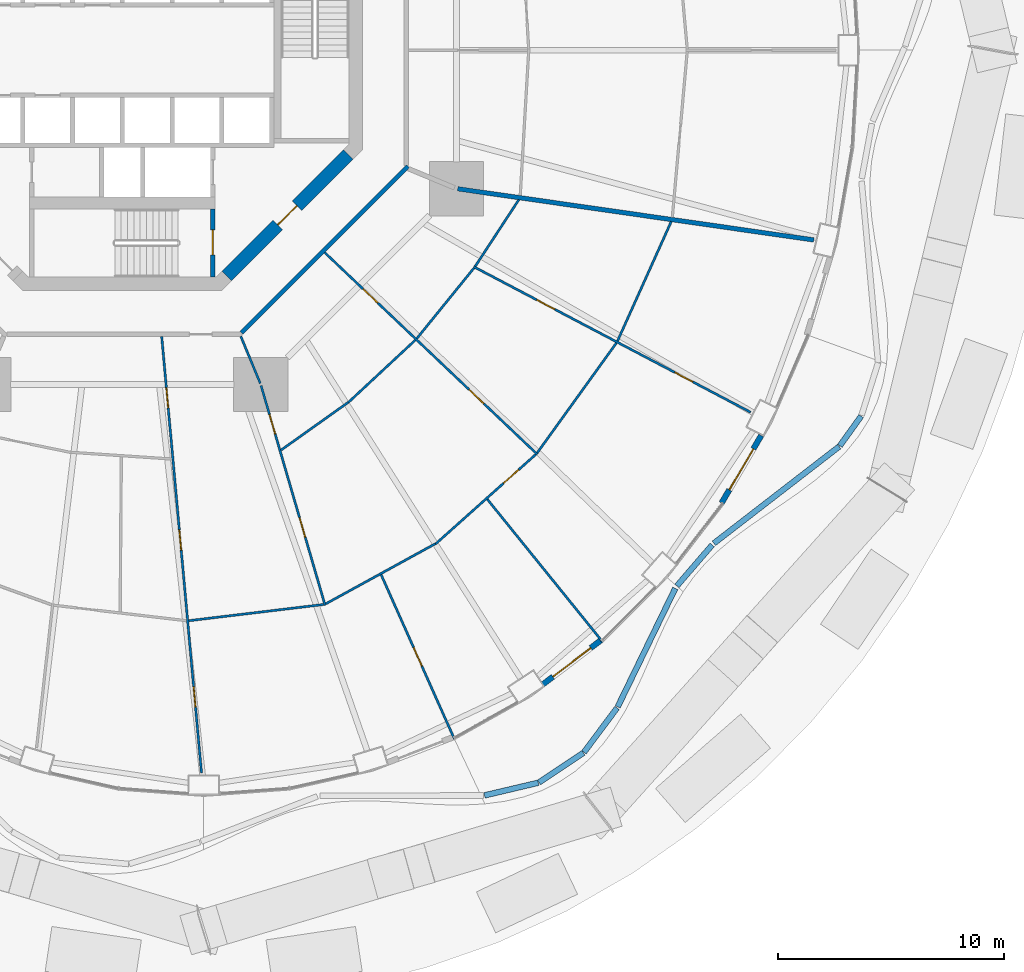
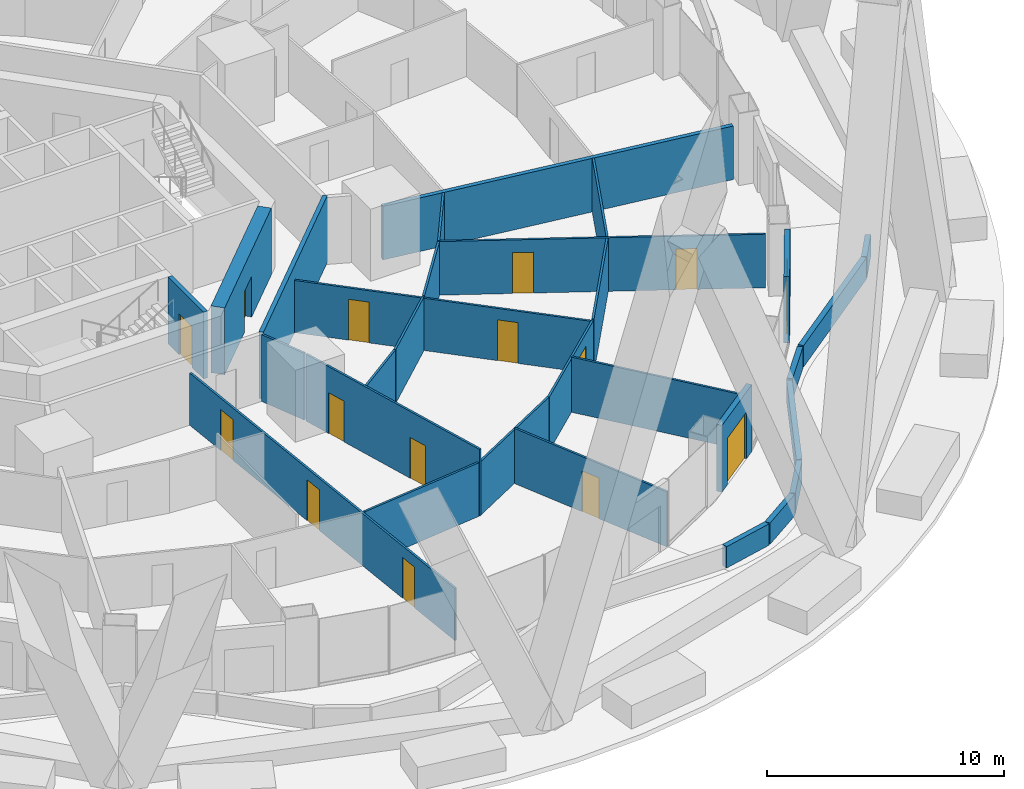
# One storey, part 35 of 42: 29 walls, 15 doors, 15 openings.
"""IFC4 building model written with IfcOpenShell, lengths in metres."""

from ifc_helpers import new_model, si_unit, direction, frame, frame_2d, origin, place, context, subcontext, project, spatial, rectangle, extrude, material, layer, layer_set, type_object, element, fill, save


model = new_model("IFC4")

# Units and contexts
model_context = context("Model", 3, precision=1e-05, world=origin(), true_north=direction((0.0, 1.0)))
body_context = subcontext(model_context, "Body", "Model", "MODEL_VIEW")
ifc_project = project(units=[si_unit("LENGTHUNIT", "METRE"), si_unit("AREAUNIT", "SQUARE_METRE"), si_unit("VOLUMEUNIT", "CUBIC_METRE"), si_unit("PLANEANGLEUNIT", "RADIAN"), si_unit("MASSUNIT", "GRAM", prefix="KILO")], contexts=[model_context])

# Site, building, storey
site_placement = place(None, origin())
site = spatial("IfcSite", under=ifc_project, at=site_placement, CompositionType="ELEMENT")
building_placement = place(site_placement, origin())
building = spatial("IfcBuilding", under=site, at=building_placement, Name="Nagisa Residences", CompositionType="ELEMENT")
storey_placement = place(building_placement, frame((0.0, 0.0, 27.0)))
storey = spatial("IfcBuildingStorey", under=building, at=storey_placement, Name="L05", CompositionType="ELEMENT", Elevation=27.0)

# Walls
ifc_material_1 = material(Name="Gypsum board on steel studs", Category="steel")
ifc_layer_1 = layer(ifc_material_1, 0.199951171875)
ifc_layer_set_1 = layer_set([ifc_layer_1], Name="Apartment compartment wall EI60 200")
wall_type_1 = type_object("IfcWallType", Name="Apartment compartment wall EI60 200", PredefinedType="PARTITIONING", material=ifc_layer_set_1)
wall_1_placement = place(storey_placement, frame((14.83154296875, -6.130126953125, 0.0), z_axis=(0.0, 0.0, 1.0), x_axis=(0.989836541293, -0.142209779978, 0.0)))
element("IfcWall", 1, at=wall_1_placement, inside=storey, type_object=wall_type_1, Name="wall:L05:u07", PredefinedType="PARTITIONING", context=body_context, shape_type="SweptSolid", body=[
    extrude(rectangle(XDim=15.9091796875, YDim=0.199951171875, at=frame_2d((7.95458984375, 0.0))), origin(), (0.0, 0.0, 1.0), 2.756103515625),
])
ifc_material_2 = material(Name="Gypsum board on steel studs", Category="steel")
ifc_layer_2 = layer(ifc_material_2, 0.199951171875)
ifc_layer_set_2 = layer_set([ifc_layer_2], Name="Apartment entry wall EI60 200")
wall_type_2 = type_object("IfcWallType", Name="Apartment entry wall EI60 200", PredefinedType="PARTITIONING", material=ifc_layer_set_2)
wall_2_placement = place(storey_placement, frame((5.275146484375, -12.494140625, 0.0), z_axis=(0.0, 0.0, 1.0), x_axis=(0.707106781187, 0.707106781187, 0.0)))
element("IfcWall", 2, at=wall_2_placement, inside=storey, type_object=wall_type_2, Name="wall:L05:u15", PredefinedType="PARTITIONING", context=body_context, shape_type="SweptSolid", body=[
    extrude(rectangle(XDim=10.4091796875, YDim=0.199951171875, at=frame_2d((5.20458984375, 0.0))), origin(), (0.0, 0.0, 1.0), 3.43994140625),
])

# Wall, openings, doors
ifc_material_3 = material(Name="Gypsum board on steel studs", Category="steel")
ifc_layer_3 = layer(ifc_material_3, 0.10009765625)
ifc_layer_set_3 = layer_set([ifc_layer_3], Name="Apartment partition 100")
wall_type_3 = type_object("IfcWallType", Name="Apartment partition 100", PredefinedType="PARTITIONING", material=ifc_layer_set_3)
wall_3_placement = place(storey_placement, frame((1.743896484375, -12.664306640625, 0.0), z_axis=(0.0, 0.0, 1.0), x_axis=(0.090893639596, -0.995860605849, 0.0)))
wall_3 = element("IfcWall", 3, at=wall_3_placement, inside=storey, type_object=wall_type_3, Name="wall:L05:u76", PredefinedType="PARTITIONING", context=body_context, shape_type="SweptSolid", body=[
    extrude(rectangle(XDim=19.3740234375, YDim=0.10009765625, at=frame_2d((9.68701171875, 0.0))), origin(), (0.0, 0.0, 1.0), 2.68701171875),
])
opening_1_placement = place(wall_3_placement, frame((2.270263671875, 0.0, 0.0)))
opening_1 = element("IfcOpeningElement", 4, at=opening_1_placement, cuts=wall_3, Name="Opening L05-U41", PredefinedType="OPENING", context=body_context, shape_type="SweptSolid", body=[
    extrude(rectangle(XDim=0.89990234375, YDim=2.10009765625, at=frame_2d((0.449951171875, 1.050048828125))), frame((0.0, 0.06005859375, 0.0), z_axis=(0.0, -1.0, 0.0), x_axis=(1.0, 0.0, 0.0)), (0.0, 0.0, 1.0), 0.1201171875),
])
opening_2_placement = place(wall_3_placement, frame((8.58154296875, 0.0, 0.0)))
opening_2 = element("IfcOpeningElement", 5, at=opening_2_placement, cuts=wall_3, Name="Opening L05-U45", PredefinedType="OPENING", context=body_context, shape_type="SweptSolid", body=[
    extrude(rectangle(XDim=0.89990234375, YDim=2.10009765625, at=frame_2d((0.449951171875, 1.050048828125))), frame((0.0, 0.06005859375, 0.0), z_axis=(0.0, -1.0, 0.0), x_axis=(1.0, 0.0, 0.0)), (0.0, 0.0, 1.0), 0.1201171875),
])
opening_3_placement = place(wall_3_placement, frame((15.54833984375, 0.0, 0.0)))
opening_3 = element("IfcOpeningElement", 6, at=opening_3_placement, cuts=wall_3, Name="Opening L05-U51", PredefinedType="OPENING", context=body_context, shape_type="SweptSolid", body=[
    extrude(rectangle(XDim=0.89990234375, YDim=2.10009765625, at=frame_2d((0.449951171875, 1.050048828125))), frame((0.0, 0.06005859375, 0.0), z_axis=(0.0, -1.0, 0.0), x_axis=(1.0, 0.0, 0.0)), (0.0, 0.0, 1.0), 0.1201171875),
])
ifc_material_4 = material(Name="Timber door set", Category="wood")
door_type_1 = type_object("IfcDoorType", Name="Apartment door 900x2100", OperationType="NOTDEFINED", PredefinedType="DOOR", material=ifc_material_4)
door_1_placement = place(opening_1_placement, frame((0.89990234375, 0.0, 0.0), x_axis=(-1.0, 0.0, 0.0)))
door_1 = element("IfcDoor", 7, at=door_1_placement, inside=storey, type_object=door_type_1, Name="Door to store, Apartment 05D", OperationType="SINGLE_SWING_RIGHT", OverallHeight=2.10009765625, OverallWidth=0.89990234375, PredefinedType="DOOR", context=body_context, shape_type="SweptSolid", body=[
    extrude(rectangle(XDim=0.89990234375, YDim=2.10009765625, at=frame_2d((0.449951171875, 1.050048828125))), frame((0.0, 0.02490234375, 0.0), z_axis=(0.0, -1.0, 0.0), x_axis=(1.0, 0.0, 0.0)), (0.0, 0.0, 1.0), 0.050048828125),
])
fill(opening_1, door_1)
door_2_placement = place(opening_2_placement, frame((0.89990234375, 0.0, 0.0), x_axis=(-1.0, 0.0, 0.0)))
door_2 = element("IfcDoor", 8, at=door_2_placement, inside=storey, type_object=door_type_1, Name="Door to family bathroom, Apartment 05D", OperationType="SINGLE_SWING_RIGHT", OverallHeight=2.10009765625, OverallWidth=0.89990234375, PredefinedType="DOOR", context=body_context, shape_type="SweptSolid", body=[
    extrude(rectangle(XDim=0.89990234375, YDim=2.10009765625, at=frame_2d((0.449951171875, 1.050048828125))), frame((0.0, 0.02490234375, 0.0), z_axis=(0.0, -1.0, 0.0), x_axis=(1.0, 0.0, 0.0)), (0.0, 0.0, 1.0), 0.050048828125),
])
fill(opening_2, door_2)
door_3_placement = place(opening_3_placement, origin())
door_3 = element("IfcDoor", 9, at=door_3_placement, inside=storey, type_object=door_type_1, Name="Door to dining room, Apartment 05D", OperationType="SINGLE_SWING_LEFT", OverallHeight=2.10009765625, OverallWidth=0.89990234375, PredefinedType="DOOR", context=body_context, shape_type="SweptSolid", body=[
    extrude(rectangle(XDim=0.89990234375, YDim=2.10009765625, at=frame_2d((0.449951171875, 1.050048828125))), frame((0.0, 0.02490234375, 0.0), z_axis=(0.0, -1.0, 0.0), x_axis=(1.0, 0.0, 0.0)), (0.0, 0.0, 1.0), 0.050048828125),
])
fill(opening_3, door_3)

# Walls
wall_4_placement = place(storey_placement, frame((2.94091796875, -25.228515625, 0.0), z_axis=(0.0, 0.0, 1.0), x_axis=(0.992836798252, 0.119478416615, 0.0)))
element("IfcWall", 10, at=wall_4_placement, inside=storey, type_object=wall_type_3, Name="wall:L05:u77", PredefinedType="PARTITIONING", context=body_context, shape_type="SweptSolid", body=[
    extrude(rectangle(XDim=6.009521484375, YDim=0.10009765625, at=frame_2d((3.0048828125, 0.0))), origin(), (0.0, 0.0, 1.0), 2.756103515625),
])
wall_5_placement = place(storey_placement, frame((5.24267578125, -12.6572265625, 0.0), z_axis=(0.0, 0.0, 1.0), x_axis=(0.382719158442, -0.923864733477, 0.0)))
element("IfcWall", 11, at=wall_5_placement, inside=storey, type_object=wall_type_3, Name="wall:L05:u78", PredefinedType="PARTITIONING", context=body_context, shape_type="SweptSolid", body=[
    extrude(rectangle(XDim=2.25, YDim=0.10009765625, at=frame_2d((1.125, 0.0))), origin(), (0.0, 0.0, 1.0), 3.43994140625),
])

# Wall, openings, doors
wall_6_placement = place(storey_placement, frame((6.136962890625, -14.830078125, 0.0), z_axis=(0.0, 0.0, 1.0), x_axis=(0.279843546189, -0.960045618529, 0.0)))
wall_6 = element("IfcWall", 12, at=wall_6_placement, inside=storey, type_object=wall_type_3, Name="wall:L05:u79", PredefinedType="PARTITIONING", context=body_context, shape_type="SweptSolid", body=[
    extrude(rectangle(XDim=10.126953125, YDim=0.10009765625, at=frame_2d((5.0634765625, 0.0))), origin(), (0.0, 0.0, 1.0), 3.43994140625),
])
opening_4_placement = place(wall_6_placement, frame((1.333740234375, 0.0, 0.0)))
opening_4 = element("IfcOpeningElement", 13, at=opening_4_placement, cuts=wall_6, Name="Opening L05-U42", PredefinedType="OPENING", context=body_context, shape_type="SweptSolid", body=[
    extrude(rectangle(XDim=0.89990234375, YDim=2.10009765625, at=frame_2d((0.449951171875, 1.050048828125))), frame((0.0, 0.06005859375, 0.0), z_axis=(0.0, -1.0, 0.0), x_axis=(1.0, 0.0, 0.0)), (0.0, 0.0, 1.0), 0.1201171875),
])
opening_5_placement = place(wall_6_placement, frame((6.09130859375, 0.0, 0.0)))
opening_5 = element("IfcOpeningElement", 14, at=opening_5_placement, cuts=wall_6, Name="Opening L05-U46", PredefinedType="OPENING", context=body_context, shape_type="SweptSolid", body=[
    extrude(rectangle(XDim=0.89990234375, YDim=2.10009765625, at=frame_2d((0.449951171875, 1.050048828125))), frame((0.0, 0.06005859375, 0.0), z_axis=(0.0, -1.0, 0.0), x_axis=(1.0, 0.0, 0.0)), (0.0, 0.0, 1.0), 0.1201171875),
])
door_4_placement = place(opening_4_placement, origin())
door_4 = element("IfcDoor", 15, at=door_4_placement, inside=storey, type_object=door_type_1, Name="Door to store, Apartment 05D", OperationType="SINGLE_SWING_RIGHT", OverallHeight=2.10009765625, OverallWidth=0.89990234375, PredefinedType="DOOR", context=body_context, shape_type="SweptSolid", body=[
    extrude(rectangle(XDim=0.89990234375, YDim=2.10009765625, at=frame_2d((0.449951171875, 1.050048828125))), frame((0.0, 0.02490234375, 0.0), z_axis=(0.0, -1.0, 0.0), x_axis=(1.0, 0.0, 0.0)), (0.0, 0.0, 1.0), 0.050048828125),
])
fill(opening_4, door_4)
door_5_placement = place(opening_5_placement, origin())
door_5 = element("IfcDoor", 16, at=door_5_placement, inside=storey, type_object=door_type_1, Name="Door to dining room, Apartment 05D", OperationType="SINGLE_SWING_RIGHT", OverallHeight=2.10009765625, OverallWidth=0.89990234375, PredefinedType="DOOR", context=body_context, shape_type="SweptSolid", body=[
    extrude(rectangle(XDim=0.89990234375, YDim=2.10009765625, at=frame_2d((0.449951171875, 1.050048828125))), frame((0.0, 0.02490234375, 0.0), z_axis=(0.0, -1.0, 0.0), x_axis=(1.0, 0.0, 0.0)), (0.0, 0.0, 1.0), 0.050048828125),
])
fill(opening_5, door_5)

# Walls
wall_7_placement = place(storey_placement, frame((7.018798828125, -17.686279296875, 0.0), z_axis=(0.0, 0.0, 1.0), x_axis=(0.81494477814, 0.57953861699, 0.0)))
element("IfcWall", 17, at=wall_7_placement, inside=storey, type_object=wall_type_3, Name="wall:L05:u80", PredefinedType="PARTITIONING", context=body_context, shape_type="SweptSolid", body=[
    extrude(rectangle(XDim=3.644287109375, YDim=0.10009765625, at=frame_2d((1.822265625, 0.0))), origin(), (0.0, 0.0, 1.0), 2.756103515625),
])
wall_8_placement = place(storey_placement, frame((9.0009765625, -24.48046875, 0.0), z_axis=(0.0, 0.0, 1.0), x_axis=(0.876794415294, 0.480865421203, 0.0)))
element("IfcWall", 18, at=wall_8_placement, inside=storey, type_object=wall_type_3, Name="wall:L05:u81", PredefinedType="PARTITIONING", context=body_context, shape_type="SweptSolid", body=[
    extrude(rectangle(XDim=5.5361328125, YDim=0.10009765625, at=frame_2d((2.76806640625, 0.0))), origin(), (0.0, 0.0, 1.0), 2.756103515625),
])

# Wall, opening, door
wall_9_placement = place(storey_placement, frame((11.4482421875, -23.195068359375, 0.0), z_axis=(0.0, 0.0, 1.0), x_axis=(0.407016520798, -0.913420796675, 0.0)))
wall_9 = element("IfcWall", 19, at=wall_9_placement, inside=storey, type_object=wall_type_3, Name="wall:L05:u82", PredefinedType="PARTITIONING", context=body_context, shape_type="SweptSolid", body=[
    extrude(rectangle(XDim=7.944091796875, YDim=0.10009765625, at=frame_2d((3.97216796875, 0.0))), origin(), (0.0, 0.0, 1.0), 2.8369140625),
])
opening_6_placement = place(wall_9_placement, frame((3.522216796875, 0.0, 0.0)))
opening_6 = element("IfcOpeningElement", 20, at=opening_6_placement, cuts=wall_9, Name="Opening L05-U52", PredefinedType="OPENING", context=body_context, shape_type="SweptSolid", body=[
    extrude(rectangle(XDim=0.89990234375, YDim=2.10009765625, at=frame_2d((0.449951171875, 1.050048828125))), frame((0.0, 0.06005859375, 0.0), z_axis=(0.0, -1.0, 0.0), x_axis=(1.0, 0.0, 0.0)), (0.0, 0.0, 1.0), 0.1201171875),
])
door_6_placement = place(opening_6_placement, origin())
door_6 = element("IfcDoor", 21, at=door_6_placement, inside=storey, type_object=door_type_1, Name="Door to family room, Apartment 05D", OperationType="SINGLE_SWING_RIGHT", OverallHeight=2.10009765625, OverallWidth=0.89990234375, PredefinedType="DOOR", context=body_context, shape_type="SweptSolid", body=[
    extrude(rectangle(XDim=0.89990234375, YDim=2.10009765625, at=frame_2d((0.449951171875, 1.050048828125))), frame((0.0, 0.02490234375, 0.0), z_axis=(0.0, -1.0, 0.0), x_axis=(1.0, 0.0, 0.0)), (0.0, 0.0, 1.0), 0.050048828125),
])
fill(opening_6, door_6)

# Wall
wall_10_placement = place(storey_placement, frame((9.992919921875, -15.579345703125, 0.0), z_axis=(0.0, 0.0, 1.0), x_axis=(0.732028724098, 0.681273768096, 0.0)))
element("IfcWall", 22, at=wall_10_placement, inside=storey, type_object=wall_type_3, Name="wall:L05:u83", PredefinedType="PARTITIONING", context=body_context, shape_type="SweptSolid", body=[
    extrude(rectangle(XDim=4.05029296875, YDim=0.10009765625, at=frame_2d((2.025146484375, 0.0))), origin(), (0.0, 0.0, 1.0), 2.756103515625),
])

# Wall, opening, door
wall_11_placement = place(storey_placement, frame((13.861572265625, -21.82763671875, 0.0), z_axis=(0.0, 0.0, 1.0), x_axis=(0.745812746724, 0.666155647596, 0.0)))
wall_11 = element("IfcWall", 23, at=wall_11_placement, inside=storey, type_object=wall_type_3, Name="wall:L05:u84", PredefinedType="PARTITIONING", context=body_context, shape_type="SweptSolid", body=[
    extrude(rectangle(XDim=5.9306640625, YDim=0.10009765625, at=frame_2d((2.96533203125, 0.0))), origin(), (0.0, 0.0, 1.0), 2.756103515625),
])
opening_7_placement = place(wall_11_placement, frame((4.02294921875, 0.0, 0.0)))
opening_7 = element("IfcOpeningElement", 24, at=opening_7_placement, cuts=wall_11, Name="Opening L05-U53", PredefinedType="OPENING", context=body_context, shape_type="SweptSolid", body=[
    extrude(rectangle(XDim=0.89990234375, YDim=2.10009765625, at=frame_2d((0.449951171875, 1.050048828125))), frame((0.0, 0.06005859375, 0.0), z_axis=(0.0, -1.0, 0.0), x_axis=(1.0, 0.0, 0.0)), (0.0, 0.0, 1.0), 0.1201171875),
])
door_7_placement = place(opening_7_placement, frame((0.89990234375, 0.0, 0.0), x_axis=(-1.0, 0.0, 0.0)))
door_7 = element("IfcDoor", 25, at=door_7_placement, inside=storey, type_object=door_type_1, Name="Door to living room, Apartment 05D", OperationType="SINGLE_SWING_RIGHT", OverallHeight=2.10009765625, OverallWidth=0.89990234375, PredefinedType="DOOR", context=body_context, shape_type="SweptSolid", body=[
    extrude(rectangle(XDim=0.89990234375, YDim=2.10009765625, at=frame_2d((0.449951171875, 1.050048828125))), frame((0.0, 0.02490234375, 0.0), z_axis=(0.0, -1.0, 0.0), x_axis=(1.0, 0.0, 0.0)), (0.0, 0.0, 1.0), 0.050048828125),
])
fill(opening_7, door_7)

# Wall
wall_12_placement = place(storey_placement, frame((16.141845703125, -19.85791015625, 0.0), z_axis=(0.0, 0.0, 1.0), x_axis=(0.628738066508, -0.777617157555, 0.0)))
element("IfcWall", 26, at=wall_12_placement, inside=storey, type_object=wall_type_3, Name="wall:L05:u85", PredefinedType="PARTITIONING", context=body_context, shape_type="SweptSolid", body=[
    extrude(rectangle(XDim=8.091064453125, YDim=0.10009765625, at=frame_2d((4.04541015625, 0.0))), origin(), (0.0, 0.0, 1.0), 2.8369140625),
])

# Wall, openings, doors
wall_13_placement = place(storey_placement, frame((8.95703125, -8.953369140625, 0.0), z_axis=(0.0, 0.0, 1.0), x_axis=(0.725250022034, -0.688485588476, 0.0)))
wall_13 = element("IfcWall", 27, at=wall_13_placement, inside=storey, type_object=wall_type_3, Name="wall:L05:u86", PredefinedType="PARTITIONING", context=body_context, shape_type="SweptSolid", body=[
    extrude(rectangle(XDim=12.962646484375, YDim=0.10009765625, at=frame_2d((6.4814453125, 0.0))), origin(), (0.0, 0.0, 1.0), 2.68701171875),
])
opening_8_placement = place(wall_13_placement, frame((2.33349609375, 0.0, 0.0)))
opening_8 = element("IfcOpeningElement", 28, at=opening_8_placement, cuts=wall_13, Name="Opening L05-U43", PredefinedType="OPENING", context=body_context, shape_type="SweptSolid", body=[
    extrude(rectangle(XDim=0.89990234375, YDim=2.10009765625, at=frame_2d((0.449951171875, 1.050048828125))), frame((0.0, 0.06005859375, 0.0), z_axis=(0.0, -1.0, 0.0), x_axis=(1.0, 0.0, 0.0)), (0.0, 0.0, 1.0), 0.1201171875),
])
opening_9_placement = place(wall_13_placement, frame((8.78955078125, 0.0, 0.0)))
opening_9 = element("IfcOpeningElement", 29, at=opening_9_placement, cuts=wall_13, Name="Opening L05-U47", PredefinedType="OPENING", context=body_context, shape_type="SweptSolid", body=[
    extrude(rectangle(XDim=0.89990234375, YDim=2.10009765625, at=frame_2d((0.449951171875, 1.050048828125))), frame((0.0, 0.06005859375, 0.0), z_axis=(0.0, -1.0, 0.0), x_axis=(1.0, 0.0, 0.0)), (0.0, 0.0, 1.0), 0.1201171875),
])
door_8_placement = place(opening_8_placement, origin())
door_8 = element("IfcDoor", 30, at=door_8_placement, inside=storey, type_object=door_type_1, Name="Door to laundry, Apartment 05D", OperationType="SINGLE_SWING_LEFT", OverallHeight=2.10009765625, OverallWidth=0.89990234375, PredefinedType="DOOR", context=body_context, shape_type="SweptSolid", body=[
    extrude(rectangle(XDim=0.89990234375, YDim=2.10009765625, at=frame_2d((0.449951171875, 1.050048828125))), frame((0.0, 0.02490234375, 0.0), z_axis=(0.0, -1.0, 0.0), x_axis=(1.0, 0.0, 0.0)), (0.0, 0.0, 1.0), 0.050048828125),
])
fill(opening_8, door_8)
door_9_placement = place(opening_9_placement, origin())
door_9 = element("IfcDoor", 31, at=door_9_placement, inside=storey, type_object=door_type_1, Name="Door to study, Apartment 05D", OperationType="SINGLE_SWING_LEFT", OverallHeight=2.10009765625, OverallWidth=0.89990234375, PredefinedType="DOOR", context=body_context, shape_type="SweptSolid", body=[
    extrude(rectangle(XDim=0.89990234375, YDim=2.10009765625, at=frame_2d((0.449951171875, 1.050048828125))), frame((0.0, 0.02490234375, 0.0), z_axis=(0.0, -1.0, 0.0), x_axis=(1.0, 0.0, 0.0)), (0.0, 0.0, 1.0), 0.050048828125),
])
fill(opening_9, door_9)

# Walls
wall_14_placement = place(storey_placement, frame((13.02587890625, -12.747314453125, 0.0), z_axis=(0.0, 0.0, 1.0), x_axis=(0.630126826288, 0.776492229705, 0.0)))
element("IfcWall", 32, at=wall_14_placement, inside=storey, type_object=wall_type_3, Name="wall:L05:u87", PredefinedType="PARTITIONING", context=body_context, shape_type="SweptSolid", body=[
    extrude(rectangle(XDim=4.006591796875, YDim=0.10009765625, at=frame_2d((2.00341796875, 0.0))), origin(), (0.0, 0.0, 1.0), 2.756103515625),
])
wall_15_placement = place(storey_placement, frame((18.35107421875, -17.802978515625, 0.0), z_axis=(0.0, 0.0, 1.0), x_axis=(0.584563700282, 0.811347817099, 0.0)))
element("IfcWall", 33, at=wall_15_placement, inside=storey, type_object=wall_type_3, Name="wall:L05:u88", PredefinedType="PARTITIONING", context=body_context, shape_type="SweptSolid", body=[
    extrude(rectangle(XDim=5.984375, YDim=0.10009765625, at=frame_2d((2.9921875, 0.0))), origin(), (0.0, 0.0, 1.0), 2.756103515625),
])

# Wall, openings, doors
wall_16_placement = place(storey_placement, frame((15.537841796875, -9.57421875, 0.0), z_axis=(0.0, 0.0, 1.0), x_axis=(0.885181406501, -0.465246039838, 0.0)))
wall_16 = element("IfcWall", 34, at=wall_16_placement, inside=storey, type_object=wall_type_3, Name="wall:L05:u89", PredefinedType="PARTITIONING", context=body_context, shape_type="SweptSolid", body=[
    extrude(rectangle(XDim=13.836669921875, YDim=0.10009765625, at=frame_2d((6.91845703125, 0.0))), origin(), (0.0, 0.0, 1.0), 2.756103515625),
])
opening_10_placement = place(wall_16_placement, frame((3.156494140625, 0.0, 0.0)))
opening_10 = element("IfcOpeningElement", 35, at=opening_10_placement, cuts=wall_16, Name="Opening L05-U48", PredefinedType="OPENING", context=body_context, shape_type="SweptSolid", body=[
    extrude(rectangle(XDim=0.89990234375, YDim=2.10009765625, at=frame_2d((0.449951171875, 1.050048828125))), frame((0.0, 0.06005859375, 0.0), z_axis=(0.0, -1.0, 0.0), x_axis=(1.0, 0.0, 0.0)), (0.0, 0.0, 1.0), 0.1201171875),
])
opening_11_placement = place(wall_16_placement, frame((10.050048828125, 0.0, 0.0)))
opening_11 = element("IfcOpeningElement", 36, at=opening_11_placement, cuts=wall_16, Name="Opening L05-U54", PredefinedType="OPENING", context=body_context, shape_type="SweptSolid", body=[
    extrude(rectangle(XDim=0.89990234375, YDim=2.10009765625, at=frame_2d((0.449951171875, 1.050048828125))), frame((0.0, 0.06005859375, 0.0), z_axis=(0.0, -1.0, 0.0), x_axis=(1.0, 0.0, 0.0)), (0.0, 0.0, 1.0), 0.1201171875),
])
door_10_placement = place(opening_10_placement, origin())
door_10 = element("IfcDoor", 37, at=door_10_placement, inside=storey, type_object=door_type_1, Name="Door to kitchen, Apartment 05D", OperationType="SINGLE_SWING_RIGHT", OverallHeight=2.10009765625, OverallWidth=0.89990234375, PredefinedType="DOOR", context=body_context, shape_type="SweptSolid", body=[
    extrude(rectangle(XDim=0.89990234375, YDim=2.10009765625, at=frame_2d((0.449951171875, 1.050048828125))), frame((0.0, 0.02490234375, 0.0), z_axis=(0.0, -1.0, 0.0), x_axis=(1.0, 0.0, 0.0)), (0.0, 0.0, 1.0), 0.050048828125),
])
fill(opening_10, door_10)
door_11_placement = place(opening_11_placement, origin())
door_11 = element("IfcDoor", 38, at=door_11_placement, inside=storey, type_object=door_type_1, Name="Door to master bedroom, Apartment 05D", OperationType="SINGLE_SWING_RIGHT", OverallHeight=2.10009765625, OverallWidth=0.89990234375, PredefinedType="DOOR", context=body_context, shape_type="SweptSolid", body=[
    extrude(rectangle(XDim=0.89990234375, YDim=2.10009765625, at=frame_2d((0.449951171875, 1.050048828125))), frame((0.0, 0.02490234375, 0.0), z_axis=(0.0, -1.0, 0.0), x_axis=(1.0, 0.0, 0.0)), (0.0, 0.0, 1.0), 0.050048828125),
])
fill(opening_11, door_11)

# Walls
wall_17_placement = place(storey_placement, frame((15.609375, -9.5556640625, 0.0), z_axis=(0.0, 0.0, 1.0), x_axis=(0.547637987196, 0.836715384692, 0.0)))
element("IfcWall", 39, at=wall_17_placement, inside=storey, type_object=wall_type_3, Name="wall:L05:u90", PredefinedType="PARTITIONING", context=body_context, shape_type="SweptSolid", body=[
    extrude(rectangle(XDim=3.52001953125, YDim=0.10009765625, at=frame_2d((1.760009765625, 0.0))), origin(), (0.0, 0.0, 1.0), 2.756103515625),
])
wall_18_placement = place(storey_placement, frame((21.89892578125, -12.861328125, 0.0), z_axis=(0.0, 0.0, 1.0), x_axis=(0.410201529109, 0.911994904326, 0.0)))
element("IfcWall", 40, at=wall_18_placement, inside=storey, type_object=wall_type_3, Name="wall:L05:u91", PredefinedType="PARTITIONING", context=body_context, shape_type="SweptSolid", body=[
    extrude(rectangle(XDim=5.786865234375, YDim=0.10009765625, at=frame_2d((2.8935546875, 0.0))), origin(), (0.0, 0.0, 1.0), 2.756103515625),
])

# Wall, opening, door
ifc_material_5 = material(Name="Precast concrete C40/50", Category="concrete")
ifc_layer_4 = layer(ifc_material_5, 0.25)
ifc_layer_set_4 = layer_set([ifc_layer_4], Name="BALCONY DOOR WALL 250")
wall_type_4 = type_object("IfcWallType", Name="BALCONY DOOR WALL 250", PredefinedType="SOLIDWALL", material=ifc_layer_set_4)
wall_19_placement = place(storey_placement, frame((21.178466796875, -26.0810546875, 0.0), z_axis=(0.0, 0.0, 1.0), x_axis=(-0.796022293214, -0.605267303517, 0.0)))
wall_19 = element("IfcWall", 41, at=wall_19_placement, inside=storey, type_object=wall_type_4, Name="wall:L05:bay40", PredefinedType="SOLIDWALL", context=body_context, shape_type="SweptSolid", body=[
    extrude(rectangle(XDim=3.262451171875, YDim=0.25, at=frame_2d((1.63134765625, 0.0))), origin(), (0.0, 0.0, 1.0), 3.43994140625),
])
opening_12_placement = place(wall_19_placement, frame((0.5810546875, 0.0, 0.0)))
opening_12 = element("IfcOpeningElement", 42, at=opening_12_placement, cuts=wall_19, Name="Opening BD-L05-14", PredefinedType="OPENING", context=body_context, shape_type="SweptSolid", body=[
    extrude(rectangle(XDim=2.10009765625, YDim=2.39990234375, at=frame_2d((1.050048828125, 1.199951171875))), frame((0.0, 0.135009765625, 0.0), z_axis=(0.0, -1.0, 0.0), x_axis=(1.0, 0.0, 0.0)), (0.0, 0.0, 1.0), 0.27001953125),
])
ifc_material_6 = material(Name="Aluminium and clear glass", Category="aluminium")
door_type_2 = type_object("IfcDoorType", Name="BALCONY SLIDING DOOR 2100x2400", OperationType="SLIDING_TO_LEFT", PredefinedType="DOOR", material=ifc_material_6)
door_12_placement = place(opening_12_placement, origin())
door_12 = element("IfcDoor", 43, at=door_12_placement, inside=storey, type_object=door_type_2, Name="door:L05:bay40", OperationType="SLIDING_TO_LEFT", OverallHeight=2.39990234375, OverallWidth=2.10009765625, PredefinedType="DOOR", context=body_context, shape_type="SweptSolid", body=[
    extrude(rectangle(XDim=2.10009765625, YDim=2.39990234375, at=frame_2d((1.050048828125, 1.199951171875))), frame((0.0, 0.02490234375, 0.0), z_axis=(0.0, -1.0, 0.0), x_axis=(1.0, 0.0, 0.0)), (0.0, 0.0, 1.0), 0.050048828125),
])
fill(opening_12, door_12)

wall_20_placement = place(storey_placement, frame((28.25244140625, -17.040283203125, 0.0), z_axis=(0.0, 0.0, 1.0), x_axis=(-0.506311160839, -0.862350861546, 0.0)))
wall_20 = element("IfcWall", 44, at=wall_20_placement, inside=storey, type_object=wall_type_4, Name="wall:L05:bay43", PredefinedType="SOLIDWALL", context=body_context, shape_type="SweptSolid", body=[
    extrude(rectangle(XDim=3.462158203125, YDim=0.25, at=frame_2d((1.73095703125, 0.0))), origin(), (0.0, 0.0, 1.0), 3.43994140625),
])
opening_13_placement = place(wall_20_placement, frame((0.68115234375, 0.0, 0.0)))
opening_13 = element("IfcOpeningElement", 45, at=opening_13_placement, cuts=wall_20, Name="Opening BD-L05-15", PredefinedType="OPENING", context=body_context, shape_type="SweptSolid", body=[
    extrude(rectangle(XDim=2.10009765625, YDim=2.39990234375, at=frame_2d((1.050048828125, 1.199951171875))), frame((0.0, 0.135009765625, 0.0), z_axis=(0.0, -1.0, 0.0), x_axis=(1.0, 0.0, 0.0)), (0.0, 0.0, 1.0), 0.27001953125),
])
door_13_placement = place(opening_13_placement, origin())
door_13 = element("IfcDoor", 46, at=door_13_placement, inside=storey, type_object=door_type_2, Name="door:L05:bay43", OperationType="SLIDING_TO_LEFT", OverallHeight=2.39990234375, OverallWidth=2.10009765625, PredefinedType="DOOR", context=body_context, shape_type="SweptSolid", body=[
    extrude(rectangle(XDim=2.10009765625, YDim=2.39990234375, at=frame_2d((1.050048828125, 1.199951171875))), frame((0.0, 0.02490234375, 0.0), z_axis=(0.0, -1.0, 0.0), x_axis=(1.0, 0.0, 0.0)), (0.0, 0.0, 1.0), 0.050048828125),
])
fill(opening_13, door_13)

ifc_material_7 = material(Name="Concrete C60", Category="concrete")
ifc_layer_5 = layer(ifc_material_7, 0.60009765625)
ifc_layer_set_5 = layer_set([ifc_layer_5], Name="Core shear wall 600")
wall_type_5 = type_object("IfcWallType", Name="Core shear wall 600", PredefinedType="SHEAR", material=ifc_layer_set_5)
wall_21_placement = place(storey_placement, frame((4.613037109375, -9.98828125, 0.0), z_axis=(0.0, 0.0, 1.0), x_axis=(0.707106781187, 0.707106781187, 0.0)))
wall_21 = element("IfcWall", 47, at=wall_21_placement, inside=storey, type_object=wall_type_5, Name="wall:L05:core:flat7", PredefinedType="SHEAR", context=body_context, shape_type="SweptSolid", body=[
    extrude(rectangle(XDim=7.601806640625, YDim=0.60009765625, at=frame_2d((3.80078125, 0.0))), origin(), (0.0, 0.0, 1.0), 3.43994140625),
])
opening_14_placement = place(wall_21_placement, frame((3.200927734375, 0.0, 0.0)))
opening_14 = element("IfcOpeningElement", 48, at=opening_14_placement, cuts=wall_21, Name="Opening L05-C18", PredefinedType="OPENING", context=body_context, shape_type="SweptSolid", body=[
    extrude(rectangle(XDim=1.199951171875, YDim=2.10009765625, at=frame_2d((0.60009765625, 1.050048828125))), frame((0.0, 0.31005859375, 0.0), z_axis=(0.0, -1.0, 0.0), x_axis=(1.0, 0.0, 0.0)), (0.0, 0.0, 1.0), 0.6201171875),
])
ifc_material_8 = material(Name="Steel fire door", Category="steel")
door_type_3 = type_object("IfcDoorType", Name="Fire door EI60 1200x2100 single swing", OperationType="NOTDEFINED", PredefinedType="DOOR", material=ifc_material_8)
door_14_placement = place(opening_14_placement, origin())
door_14 = element("IfcDoor", 49, at=door_14_placement, inside=storey, type_object=door_type_3, Name="Firefighting lobby 2 door L05", OperationType="SINGLE_SWING_LEFT", OverallHeight=2.10009765625, OverallWidth=1.199951171875, PredefinedType="DOOR", context=body_context, shape_type="SweptSolid", body=[
    extrude(rectangle(XDim=1.199951171875, YDim=2.10009765625, at=frame_2d((0.60009765625, 1.050048828125))), frame((0.0, 0.02490234375, 0.0), z_axis=(0.0, -1.0, 0.0), x_axis=(1.0, 0.0, 0.0)), (0.0, 0.0, 1.0), 0.050048828125),
])
fill(opening_14, door_14)

# Walls
ifc_material_9 = material(Name="Precast concrete C40/50", Category="concrete")
ifc_layer_6 = layer(ifc_material_9, 0.25)
ifc_layer_set_6 = layer_set([ifc_layer_6], Name="PARAPET 250")
wall_type_6 = type_object("IfcWallType", Name="PARAPET 250", PredefinedType="PARAPET", material=ifc_layer_set_6)
wall_22_placement = place(storey_placement, frame((16.015380859375, -32.953857421875, 0.0), z_axis=(0.0, 0.0, 1.0), x_axis=(0.973368718072, 0.22924514974, 0.0)))
element("IfcWall", 50, at=wall_22_placement, inside=storey, type_object=wall_type_6, Name="parapet:L05:bal13-0-00", PredefinedType="PARAPET", context=body_context, shape_type="SweptSolid", body=[
    extrude(rectangle(XDim=2.4462890625, YDim=0.25, at=frame_2d((1.22314453125, 0.0))), origin(), (0.0, 0.0, 1.0), 1.10009765625),
])
wall_23_placement = place(storey_placement, frame((18.427978515625, -32.37939453125, 0.0), z_axis=(0.0, 0.0, 1.0), x_axis=(0.832193744061, 0.554484961334, 0.0)))
element("IfcWall", 51, at=wall_23_placement, inside=storey, type_object=wall_type_6, Name="parapet:L05:bal13-0-01", PredefinedType="PARAPET", context=body_context, shape_type="SweptSolid", body=[
    extrude(rectangle(XDim=2.35595703125, YDim=0.25, at=frame_2d((1.177978515625, 0.0))), origin(), (0.0, 0.0, 1.0), 1.10009765625),
])
wall_24_placement = place(storey_placement, frame((20.4150390625, -31.048095703125, 0.0), z_axis=(0.0, 0.0, 1.0), x_axis=(0.597715227752, 0.80170849223, 0.0)))
element("IfcWall", 52, at=wall_24_placement, inside=storey, type_object=wall_type_6, Name="parapet:L05:bal13-0-02", PredefinedType="PARAPET", context=body_context, shape_type="SweptSolid", body=[
    extrude(rectangle(XDim=2.447509765625, YDim=0.25, at=frame_2d((1.2236328125, 0.0))), origin(), (0.0, 0.0, 1.0), 1.10009765625),
])
wall_25_placement = place(storey_placement, frame((21.906982421875, -29.037841796875, 0.0), z_axis=(0.0, 0.0, 1.0), x_axis=(0.437296277374, 0.899317499994, 0.0)))
element("IfcWall", 53, at=wall_25_placement, inside=storey, type_object=wall_type_6, Name="parapet:L05:bal13-0-03", PredefinedType="PARAPET", context=body_context, shape_type="SweptSolid", body=[
    extrude(rectangle(XDim=5.825927734375, YDim=0.25, at=frame_2d((2.9130859375, 0.0))), origin(), (0.0, 0.0, 1.0), 1.10009765625),
])
wall_26_placement = place(storey_placement, frame((24.527099609375, -23.6875, 0.0), z_axis=(0.0, 0.0, 1.0), x_axis=(0.652642199991, 0.757666258184, 0.0)))
element("IfcWall", 54, at=wall_26_placement, inside=storey, type_object=wall_type_6, Name="parapet:L05:bal14-0-00", PredefinedType="PARAPET", context=body_context, shape_type="SweptSolid", body=[
    extrude(rectangle(XDim=2.387451171875, YDim=0.25, at=frame_2d((1.19384765625, 0.0))), origin(), (0.0, 0.0, 1.0), 1.10009765625),
])
wall_27_placement = place(storey_placement, frame((26.161376953125, -21.806640625, 0.0), z_axis=(0.0, 0.0, 1.0), x_axis=(0.791260452579, 0.611479268811, 0.0)))
element("IfcWall", 55, at=wall_27_placement, inside=storey, type_object=wall_type_6, Name="parapet:L05:bal14-0-01", PredefinedType="PARAPET", context=body_context, shape_type="SweptSolid", body=[
    extrude(rectangle(XDim=6.9990234375, YDim=0.25, at=frame_2d((3.49951171875, 0.0))), origin(), (0.0, 0.0, 1.0), 1.10009765625),
])
wall_28_placement = place(storey_placement, frame((31.7294921875, -17.49609375, 0.0), z_axis=(0.0, 0.0, 1.0), x_axis=(0.582851512062, 0.812578682274, 0.0)))
element("IfcWall", 56, at=wall_28_placement, inside=storey, type_object=wall_type_6, Name="parapet:L05:bal14-0-02", PredefinedType="PARAPET", context=body_context, shape_type="SweptSolid", body=[
    extrude(rectangle(XDim=1.616455078125, YDim=0.25, at=frame_2d((0.80810546875, 0.0))), origin(), (0.0, 0.0, 1.0), 1.10009765625),
])

# Wall, opening, door
ifc_material_10 = material(Name="Concrete C60", Category="concrete")
ifc_layer_7 = layer(ifc_material_10, 0.199951171875)
ifc_layer_set_7 = layer_set([ifc_layer_7], Name="Stair enclosure wall 200")
wall_type_7 = type_object("IfcWallType", Name="Stair enclosure wall 200", PredefinedType="SOLIDWALL", material=ifc_layer_set_7)
wall_29_placement = place(storey_placement, frame((4.0, -10.024658203125, 0.0), z_axis=(0.0, 0.0, 1.0), x_axis=(0.0, 1.0, 0.0)))
wall_29 = element("IfcWall", 57, at=wall_29_placement, inside=storey, type_object=wall_type_7, Name="wall:L05:SS_e", PredefinedType="SOLIDWALL", context=body_context, shape_type="SweptSolid", body=[
    extrude(rectangle(XDim=3.0, YDim=0.199951171875, at=frame_2d((1.5, 0.0))), origin(), (0.0, 0.0, 1.0), 3.43994140625),
])
opening_15_placement = place(wall_29_placement, frame((0.974609375, 0.0, 0.0)))
opening_15 = element("IfcOpeningElement", 58, at=opening_15_placement, cuts=wall_29, Name="Opening L05-C11", PredefinedType="OPENING", context=body_context, shape_type="SweptSolid", body=[
    extrude(rectangle(XDim=1.10009765625, YDim=2.10009765625, at=frame_2d((0.550048828125, 1.050048828125))), frame((0.0, 0.10986328125, 0.0), z_axis=(0.0, -1.0, 0.0), x_axis=(1.0, 0.0, 0.0)), (0.0, 0.0, 1.0), 0.219970703125),
])
ifc_material_11 = material(Name="Steel fire door", Category="steel")
door_type_4 = type_object("IfcDoorType", Name="Fire door EI90 1100x2100 single swing", OperationType="NOTDEFINED", PredefinedType="DOOR", material=ifc_material_11)
door_15_placement = place(opening_15_placement, origin())
door_15 = element("IfcDoor", 59, at=door_15_placement, inside=storey, type_object=door_type_4, Name="Stair door ST-S L05", OperationType="SINGLE_SWING_LEFT", OverallHeight=2.10009765625, OverallWidth=1.10009765625, PredefinedType="DOOR", context=body_context, shape_type="SweptSolid", body=[
    extrude(rectangle(XDim=1.10009765625, YDim=2.10009765625, at=frame_2d((0.550048828125, 1.050048828125))), frame((0.0, 0.02490234375, 0.0), z_axis=(0.0, -1.0, 0.0), x_axis=(1.0, 0.0, 0.0)), (0.0, 0.0, 1.0), 0.050048828125),
])
fill(opening_15, door_15)

save(model, "model.ifc")
